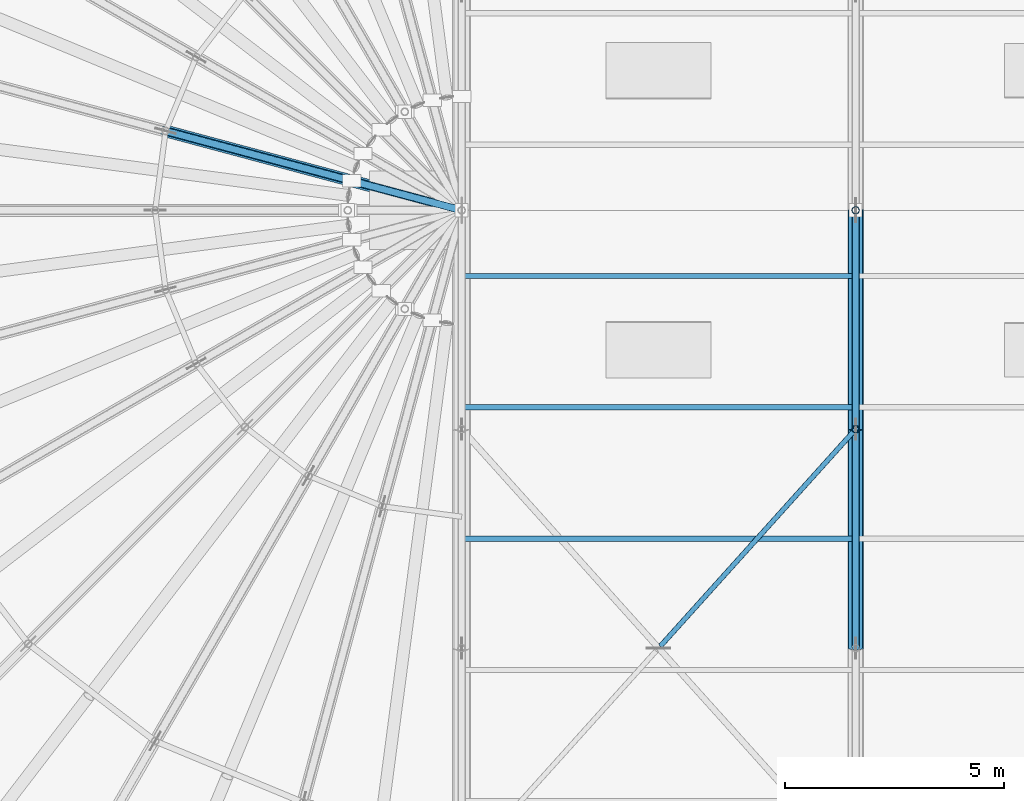
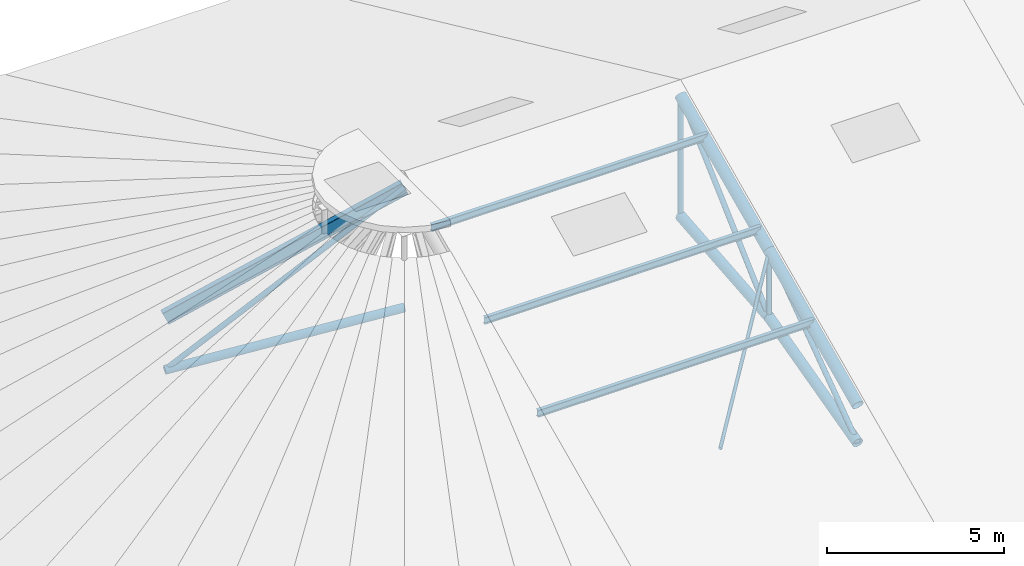
# One storey, part 8 of 107: 15 members.
"""IFC4 building model written with IfcOpenShell, lengths in metres."""

from ifc_helpers import new_model, si_unit, derived_unit, direction, frame, origin, origin_2d, place, context, subcontext, project, spatial, hollow_circle, i_section, extrude, material, material_profile, profile_set, type_object, element, save


model = new_model("IFC4")

# Units and contexts
model_context = context("Model", 3, precision=1e-05, world=origin(), true_north=direction((0.0, 1.0)))
body_context = subcontext(model_context, "Body", "Model", "MODEL_VIEW")
ifc_project = project(units=[si_unit("LENGTHUNIT", "METRE"), si_unit("AREAUNIT", "SQUARE_METRE"), si_unit("VOLUMEUNIT", "CUBIC_METRE"), si_unit("PLANEANGLEUNIT", "RADIAN"), si_unit("MASSUNIT", "GRAM", prefix="KILO"), si_unit("THERMODYNAMICTEMPERATUREUNIT", "KELVIN"), si_unit("TIMEUNIT", "SECOND"), derived_unit("THERMALTRANSMITTANCEUNIT", [(si_unit("MASSUNIT", "GRAM", prefix="KILO"), 1), (si_unit("THERMODYNAMICTEMPERATUREUNIT", "KELVIN"), -1), (si_unit("TIMEUNIT", "SECOND"), -3)])], contexts=[model_context])

# Site, building, storey
site_placement = place(None, origin())
site = spatial("IfcSite", under=ifc_project, at=site_placement, CompositionType="ELEMENT")
building_placement = place(site_placement, origin())
building = spatial("IfcBuilding", under=site, at=building_placement, Name="Cambertide Market Hall", CompositionType="ELEMENT")
storey_placement = place(building_placement, frame((0.0, 0.0, 18.300048828125)))
storey = spatial("IfcBuildingStorey", under=building, at=storey_placement, Name="RF", CompositionType="ELEMENT", Elevation=18.300048828125)

# Members
ifc_material_1 = material(Name="Steel S355", Category="steel")
ifc_material_profile_1 = material_profile(ifc_material_1, hollow_circle(Radius=0.136474609375, WallThickness=0.010009765625, at=origin_2d()), Name="CHS 273x10")
ifc_profile_set_1 = profile_set([ifc_material_profile_1], Name="Steel S355")
member_type_1 = type_object("IfcMemberType", Name="Arched Truss Chord CHS 273x10", PredefinedType="CHORD", material=ifc_profile_set_1)
member_1_placement = place(storey_placement, frame((42.0, 72.0, -4.5), z_axis=(-0.958354076456, 0.256795291619, -0.124954561115), x_axis=(-0.258823832372, -0.965924543531, 0.0)))
element("IfcMember", 1, at=member_1_placement, inside=storey, type_object=member_type_1, Name="Half-Cone Radial Arch Chord W-10-1", PredefinedType="CHORD", context=body_context, shape_type="SweptSolid", body=[
    extrude(hollow_circle(Radius=0.136474609375, WallThickness=0.010009765625, at=origin_2d()), origin(), (0.0, 0.0, 1.0), 7.055419921875),
])
ifc_material_2 = material(Name="Steel S355", Category="steel")
ifc_material_profile_2 = material_profile(ifc_material_2, hollow_circle(Radius=0.161865234375, WallThickness=0.010009765625, at=origin_2d()), Name="CHS 323.9x10")
ifc_profile_set_2 = profile_set([ifc_material_profile_2], Name="Steel S355")
member_type_2 = type_object("IfcMemberType", Name="Arched Truss Chord CHS 323.9x10", PredefinedType="CHORD", material=ifc_profile_set_2)
member_2_placement = place(storey_placement, frame((51.0, 62.0, -6.251220703125), z_axis=(0.0, 0.968015607618, 0.250889982678), x_axis=(-1.0, 0.0, 0.0)))
element("IfcMember", 2, at=member_2_placement, inside=storey, type_object=member_type_2, Name="Roof Truss 2 Arched Bottom Chord 3", PredefinedType="CHORD", context=body_context, shape_type="SweptSolid", body=[
    extrude(hollow_circle(Radius=0.161865234375, WallThickness=0.010009765625, at=origin_2d()), origin(), (0.0, 0.0, 1.0), 5.165283203125),
])
member_3_placement = place(storey_placement, frame((51.0, 67.0, -4.955322265625), z_axis=(0.0, 0.9958792443, 0.090689198761), x_axis=(-1.0, 0.0, 0.0)))
element("IfcMember", 3, at=member_3_placement, inside=storey, type_object=member_type_2, Name="Roof Truss 2 Arched Bottom Chord 4", PredefinedType="CHORD", context=body_context, shape_type="SweptSolid", body=[
    extrude(hollow_circle(Radius=0.161865234375, WallThickness=0.010009765625, at=origin_2d()), origin(), (0.0, 0.0, 1.0), 5.020751953125),
])
ifc_material_3 = material(Name="Steel S355", Category="steel")
ifc_material_profile_3 = material_profile(ifc_material_3, hollow_circle(Radius=0.177734375, WallThickness=0.012451171875, at=origin_2d()), Name="CHS 355.6x12.5")
ifc_profile_set_3 = profile_set([ifc_material_profile_3], Name="Steel S355")
member_type_3 = type_object("IfcMemberType", Name="Arched Truss Chord CHS 355.6x12.5", PredefinedType="CHORD", material=ifc_profile_set_3)
for number, where, z_axis, x_axis, name in (
    (4, (51.0, 62.0, -4.949951171875), (0.0, 0.908503925861, 0.417876317461), (-1.0, 0.0, 0.0), "Roof Truss 2 Top Chord 3"),
    (5, (51.0, 67.0, -2.650146484375), (0.0, 0.908487084298, 0.417912930721), (-1.0, 0.0, 0.0), "Roof Truss 2 Top Chord 4"),
):
    element("IfcMember", number, at=place(storey_placement, frame(where, z_axis=z_axis, x_axis=x_axis)), inside=storey, type_object=member_type_3, Name=name, PredefinedType="CHORD", context=body_context, shape_type="SweptSolid", body=[
        extrude(hollow_circle(Radius=0.177734375, WallThickness=0.012451171875, at=origin_2d()), origin(), (0.0, 0.0, 1.0), 5.503662109375),
    ])
ifc_material_4 = material(Name="Steel S355", Category="steel")
ifc_material_profile_4 = material_profile(ifc_material_4, i_section(OverallWidth=0.18994140625, OverallDepth=0.449951171875, WebThickness=0.009521484375, FlangeThickness=0.0146484375, FilletRadius=0.02099609375, at=origin_2d()), Name="IPE 450")
ifc_profile_set_4 = profile_set([ifc_material_profile_4], Name="Steel S355")
member_type_4 = type_object("IfcMemberType", Name="Radial Fan Rafter IPE 450", PredefinedType="RAFTER", material=ifc_profile_set_4)
member_4_placement = place(storey_placement, frame((42.0, 72.0, -0.35009765625), z_axis=(-0.877534683767, 0.235139371303, -0.417902326925), x_axis=(-0.258823832372, -0.965924543531, 0.0)))
element("IfcMember", 6, at=member_4_placement, inside=storey, type_object=member_type_4, Name="Half-Cone Radial Truss Rafter W-10-1", PredefinedType="RAFTER", context=body_context, shape_type="SweptSolid", body=[
    extrude(i_section(OverallWidth=0.18994140625, OverallDepth=0.449951171875, WebThickness=0.009521484375, FlangeThickness=0.0146484375, FilletRadius=0.02099609375, at=origin_2d()), origin(), (0.0, 0.0, 1.0), 7.705078125),
])
ifc_material_5 = material(Name="Steel S275", Category="steel")
ifc_material_profile_5 = material_profile(ifc_material_5, i_section(OverallWidth=0.1201171875, OverallDepth=0.239990234375, WebThickness=0.006103515625, FlangeThickness=0.009765625, FilletRadius=0.014892578125, at=origin_2d()), Name="IPE 240")
ifc_profile_set_5 = profile_set([ifc_material_profile_5], Name="Steel S275")
member_type_5 = type_object("IfcMemberType", Name="Roof Purlin IPE 240", PredefinedType="PURLIN", material=ifc_profile_set_5)
for number, where, z_axis, x_axis, name in (
    (7, (42.0, 64.5, -3.590087890625), (1.0, 0.0, 0.0), (0.0, 1.0, 0.0), "Barrel Roof Purlin 1-06"),
    (8, (42.0, 67.5, -2.2099609375), (1.0, 0.0, 0.0), (0.0, 1.0, 0.0), "Barrel Roof Purlin 1-07"),
    (9, (42.0, 70.5, -0.830078125), (1.0, 0.0, 0.0), (0.0, 1.0, 0.0), "Barrel Roof Purlin 1-08"),
):
    element("IfcMember", number, at=place(storey_placement, frame(where, z_axis=z_axis, x_axis=x_axis)), inside=storey, type_object=member_type_5, Name=name, PredefinedType="PURLIN", context=body_context, shape_type="SweptSolid", body=[
        extrude(i_section(OverallWidth=0.1201171875, OverallDepth=0.239990234375, WebThickness=0.006103515625, FlangeThickness=0.009765625, FilletRadius=0.014892578125, at=origin_2d()), origin(), (0.0, 0.0, 1.0), 9.0),
    ])
ifc_material_6 = material(Name="Steel S275", Category="steel")
ifc_material_profile_6 = material_profile(ifc_material_6, hollow_circle(Radius=0.05712890625, WallThickness=0.0048828125, at=origin_2d()), Name="CHS 114.3x5")
ifc_profile_set_6 = profile_set([ifc_material_profile_6], Name="Steel S275")
member_type_6 = type_object("IfcMemberType", Name="Structural Brace CHS 114.3x5", PredefinedType="BRACE", material=ifc_profile_set_6)
member_5_placement = place(storey_placement, frame((51.0, 67.0, -2.650146484375), z_axis=(-0.632999690254, -0.703313698634, -0.323513884481), x_axis=(0.743285022771, -0.66897486868, 0.0)))
element("IfcMember", 10, at=member_5_placement, inside=storey, type_object=member_type_6, Name="Roof Wind X-Brace Split Segment 1-S2A", PredefinedType="BRACE", context=body_context, shape_type="SweptSolid", body=[
    extrude(hollow_circle(Radius=0.05712890625, WallThickness=0.0048828125, at=origin_2d()), origin(), (0.0, 0.0, 1.0), 7.031005859375),
])
ifc_material_7 = material(Name="Steel S355", Category="steel")
ifc_material_profile_7 = material_profile(ifc_material_7, hollow_circle(Radius=0.084228515625, WallThickness=0.00634765625, at=origin_2d()), Name="CHS 168.3x6.3")
ifc_profile_set_7 = profile_set([ifc_material_profile_7], Name="Steel S355")
member_type_7 = type_object("IfcMemberType", Name="Structural Brace CHS 168.3x6.3", PredefinedType="BRACE", material=ifc_profile_set_7)
member_6_placement = place(storey_placement, frame((51.0, 62.0, -6.251220703125), z_axis=(0.0, 0.811451666424, 0.584419535144), x_axis=(-1.0, 0.0, 0.0)))
element("IfcMember", 11, at=member_6_placement, inside=storey, type_object=member_type_7, Name="Roof Truss 2 Web Diagonal 3", PredefinedType="BRACE", context=body_context, shape_type="SweptSolid", body=[
    extrude(hollow_circle(Radius=0.084228515625, WallThickness=0.00634765625, at=origin_2d()), origin(), (0.0, 0.0, 1.0), 6.161865234375),
])
member_7_placement = place(storey_placement, frame((51.0, 67.0, -4.955322265625), z_axis=(0.0, 0.73554793102, 0.677472686662), x_axis=(-1.0, 0.0, 0.0)))
element("IfcMember", 12, at=member_7_placement, inside=storey, type_object=member_type_7, Name="Roof Truss 2 Web Diagonal 4", PredefinedType="BRACE", context=body_context, shape_type="SweptSolid", body=[
    extrude(hollow_circle(Radius=0.084228515625, WallThickness=0.00634765625, at=origin_2d()), origin(), (0.0, 0.0, 1.0), 6.797607421875),
])
member_8_placement = place(storey_placement, frame((51.0, 67.0, -4.955322265625), z_axis=(0.0, 0.0, 1.0), x_axis=(1.0, 0.0, 0.0)))
element("IfcMember", 13, at=member_8_placement, inside=storey, type_object=member_type_7, Name="Roof Truss 2 Web Post 4", PredefinedType="BRACE", context=body_context, shape_type="SweptSolid", body=[
    extrude(hollow_circle(Radius=0.084228515625, WallThickness=0.00634765625, at=origin_2d()), origin(), (0.0, 0.0, 1.0), 2.30517578125),
])
member_9_placement = place(storey_placement, frame((51.0, 72.0, -4.5), z_axis=(0.0, 0.0, 1.0), x_axis=(1.0, 0.0, 0.0)))
element("IfcMember", 14, at=member_9_placement, inside=storey, type_object=member_type_7, Name="Roof Truss 2 Web Post 5", PredefinedType="BRACE", context=body_context, shape_type="SweptSolid", body=[
    extrude(hollow_circle(Radius=0.084228515625, WallThickness=0.00634765625, at=origin_2d()), origin(), (0.0, 0.0, 1.0), 4.14990234375),
])
member_10_placement = place(storey_placement, frame((35.238525390625, 73.811767578125, -5.381591796875), z_axis=(0.784332723238, -0.210165486158, 0.58365456195), x_axis=(0.258823832372, 0.965924543531, 0.0)))
element("IfcMember", 15, at=member_10_placement, inside=storey, type_object=member_type_7, Name="RWB-W-10-D1", PredefinedType="BRACE", context=body_context, shape_type="SweptSolid", body=[
    extrude(hollow_circle(Radius=0.084228515625, WallThickness=0.00634765625, at=origin_2d()), origin(), (0.0, 0.0, 1.0), 8.62060546875),
])

save(model, "model.ifc")
